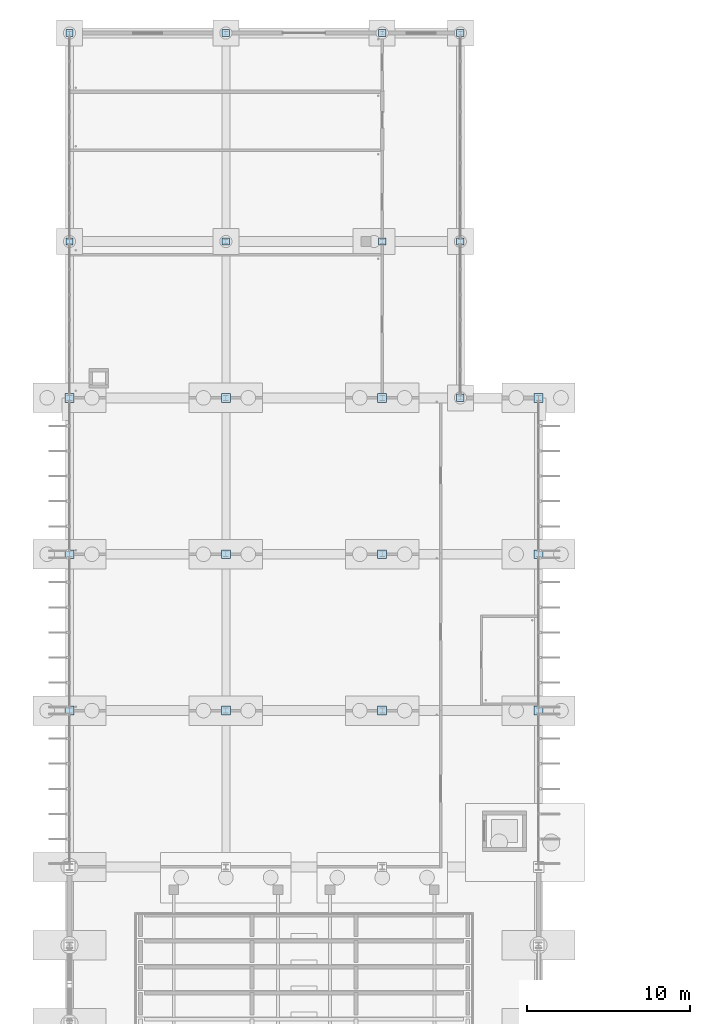
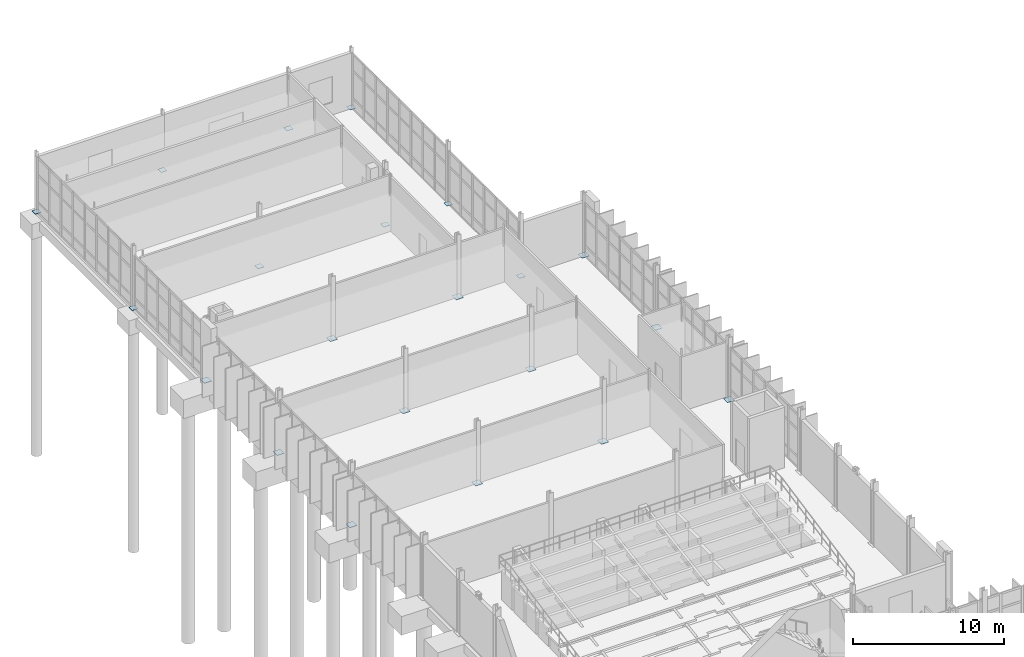
# One storey, part 56 of 111: 21 plates.
"""IFC4 building model written with IfcOpenShell, lengths in metres."""

from ifc_helpers import new_model, si_unit, direction, frame, origin, origin_2d, place, context, subcontext, project, spatial, rectangle, extrude, material, layer, layer_set, type_object, element, save


model = new_model("IFC4")

# Units and contexts
model_context = context("Model", 3, precision=1e-05, world=origin(), true_north=direction((0.0, 1.0)))
body_context = subcontext(model_context, "Body", "Model", "MODEL_VIEW")
ifc_project = project(units=[si_unit("LENGTHUNIT", "METRE"), si_unit("AREAUNIT", "SQUARE_METRE"), si_unit("VOLUMEUNIT", "CUBIC_METRE"), si_unit("PLANEANGLEUNIT", "RADIAN"), si_unit("MASSUNIT", "GRAM", prefix="KILO")], contexts=[model_context])

# Site, building, storey
site_placement = place(None, origin())
site = spatial("IfcSite", under=ifc_project, at=site_placement, CompositionType="ELEMENT")
building_placement = place(site_placement, origin())
building = spatial("IfcBuilding", under=site, at=building_placement, Name="Dunescarp Central Library", CompositionType="ELEMENT")
storey_placement = place(building_placement, origin())
storey = spatial("IfcBuildingStorey", under=building, at=storey_placement, Name="L00", CompositionType="ELEMENT", Elevation=0.0)

# Plates
ifc_material = material(Name="Steel S355J0", Category="steel")
ifc_layer_1 = layer(ifc_material, 0.031982421875)
ifc_layer_set_1 = layer_set([ifc_layer_1], Name="Steel S355J0")
plate_type_1 = type_object("IfcPlateType", Name="STR-PLT-BP02", PredefinedType="USERDEFINED", material=ifc_layer_set_1)
for number, where, z_axis, x_axis, name in (
    (1, (0.0, 70.39990234375, -0.03076171875), (0.0, 0.0, 1.0), (1.0, 0.0, 0.0), "Column base plate BPL-119"),
    (2, (0.0, 80.0, -0.03076171875), (0.0, 0.0, 1.0), (1.0, 0.0, 0.0), "Column base plate BPL-120"),
    (3, (0.0, 89.60009765625, -0.03076171875), (0.0, 0.0, 1.0), (1.0, 0.0, 0.0), "Column base plate BPL-121"),
    (4, (9.60009765625, 70.39990234375, -0.03076171875), (0.0, 0.0, 1.0), (1.0, 0.0, 0.0), "Column base plate BPL-122"),
    (5, (9.60009765625, 80.0, -0.03076171875), (0.0, 0.0, 1.0), (1.0, 0.0, 0.0), "Column base plate BPL-123"),
    (6, (9.60009765625, 89.60009765625, -0.03076171875), (0.0, 0.0, 1.0), (1.0, 0.0, 0.0), "Column base plate BPL-124"),
    (7, (19.199951171875, 70.39990234375, -0.03076171875), (0.0, 0.0, 1.0), (1.0, 0.0, 0.0), "Column base plate BPL-125"),
    (8, (19.199951171875, 80.0, -0.03076171875), (0.0, 0.0, 1.0), (1.0, 0.0, 0.0), "Column base plate BPL-126"),
    (9, (19.199951171875, 89.60009765625, -0.03076171875), (0.0, 0.0, 1.0), (1.0, 0.0, 0.0), "Column base plate BPL-127"),
    (10, (28.800048828125, 70.39990234375, -0.03076171875), (0.0, 0.0, 1.0), (1.0, 0.0, 0.0), "Column base plate BPL-128"),
    (11, (28.800048828125, 80.0, -0.03076171875), (0.0, 0.0, 1.0), (1.0, 0.0, 0.0), "Column base plate BPL-129"),
    (12, (28.800048828125, 89.60009765625, -0.03076171875), (0.0, 0.0, 1.0), (1.0, 0.0, 0.0), "Column base plate BPL-130"),
):
    element("IfcPlate", number, at=place(storey_placement, frame(where, z_axis=z_axis, x_axis=x_axis)), inside=storey, type_object=plate_type_1, Name=name, ObjectType="BASE_PLATE", PredefinedType="USERDEFINED", context=body_context, shape_type="SweptSolid", body=[
        extrude(rectangle(XDim=0.550048828125, YDim=0.550048828125, at=origin_2d()), origin(), (0.0, 0.0, 1.0), 0.031982421875),
    ])
ifc_layer_2 = layer(ifc_material, 0.028076171875)
ifc_layer_set_2 = layer_set([ifc_layer_2], Name="Steel S355J0")
plate_type_2 = type_object("IfcPlateType", Name="STR-PLT-BP03", PredefinedType="USERDEFINED", material=ifc_layer_set_2)
for number, where, z_axis, x_axis, name in (
    (13, (0.0, 99.199951171875, -0.02880859375), (0.0, 0.0, 1.0), (1.0, 0.0, 0.0), "Column base plate BPL-137"),
    (14, (0.0, 112.0, -0.02880859375), (0.0, 0.0, 1.0), (1.0, 0.0, 0.0), "Column base plate BPL-138"),
    (15, (9.60009765625, 99.199951171875, -0.02880859375), (0.0, 0.0, 1.0), (1.0, 0.0, 0.0), "Column base plate BPL-139"),
    (16, (9.60009765625, 112.0, -0.02880859375), (0.0, 0.0, 1.0), (1.0, 0.0, 0.0), "Column base plate BPL-140"),
    (17, (19.199951171875, 99.199951171875, -0.02880859375), (0.0, 0.0, 1.0), (1.0, 0.0, 0.0), "Column base plate BPL-141"),
    (18, (19.199951171875, 112.0, -0.02880859375), (0.0, 0.0, 1.0), (1.0, 0.0, 0.0), "Column base plate BPL-142"),
    (19, (24.0, 99.199951171875, -0.02880859375), (0.0, 0.0, 1.0), (1.0, 0.0, 0.0), "Column base plate BPL-143"),
    (20, (24.0, 112.0, -0.02880859375), (0.0, 0.0, 1.0), (1.0, 0.0, 0.0), "Column base plate BPL-144"),
    (21, (24.0, 89.60009765625, -0.02880859375), (0.0, 0.0, 1.0), (1.0, 0.0, 0.0), "Column base plate BPL-205"),
):
    element("IfcPlate", number, at=place(storey_placement, frame(where, z_axis=z_axis, x_axis=x_axis)), inside=storey, type_object=plate_type_2, Name=name, ObjectType="BASE_PLATE", PredefinedType="USERDEFINED", context=body_context, shape_type="SweptSolid", body=[
        extrude(rectangle(XDim=0.449951171875, YDim=0.449951171875, at=origin_2d()), origin(), (0.0, 0.0, 1.0), 0.028076171875),
    ])

save(model, "model.ifc")
